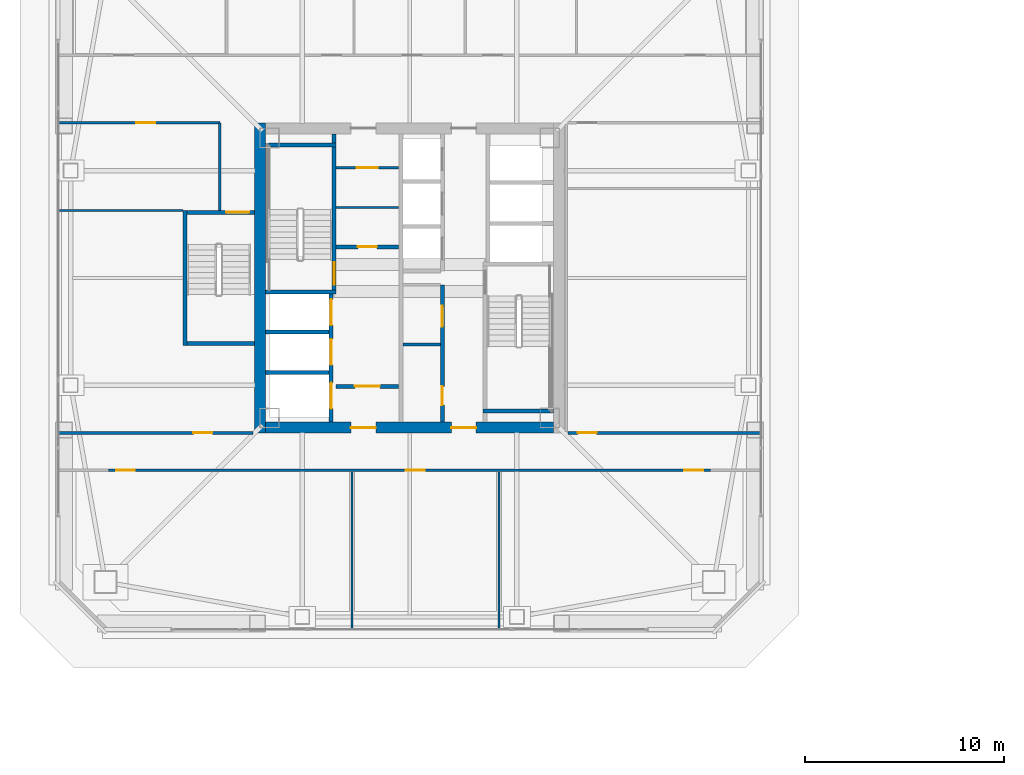
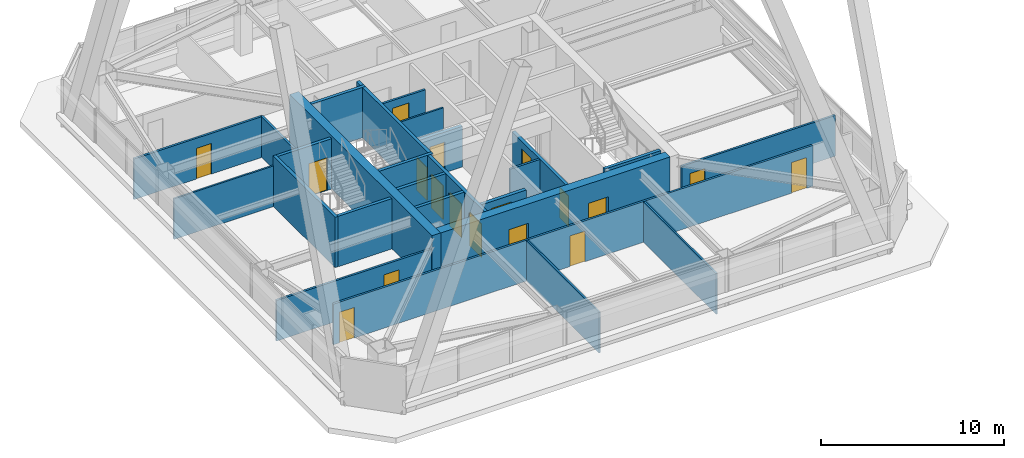
# One storey, part 55 of 65: 26 walls, 18 doors, 18 openings.
"""IFC4 building model written with IfcOpenShell, lengths in metres."""

from ifc_helpers import new_model, si_unit, direction, frame, frame_2d, origin, place, context, subcontext, project, spatial, rectangle, extrude, material, layer, layer_set, type_object, element, fill, save


model = new_model("IFC4")

# Units and contexts
model_context = context("Model", 3, precision=1e-05, world=origin(), true_north=direction((0.0, 1.0)))
body_context = subcontext(model_context, "Body", "Model", "MODEL_VIEW")
ifc_project = project(units=[si_unit("LENGTHUNIT", "METRE"), si_unit("AREAUNIT", "SQUARE_METRE"), si_unit("VOLUMEUNIT", "CUBIC_METRE"), si_unit("PLANEANGLEUNIT", "RADIAN"), si_unit("MASSUNIT", "GRAM", prefix="KILO")], contexts=[model_context])

# Site, building, storey
site_placement = place(None, origin())
site = spatial("IfcSite", under=ifc_project, at=site_placement, CompositionType="ELEMENT")
building_placement = place(site_placement, origin())
building = spatial("IfcBuilding", under=site, at=building_placement, Name="Tashvorn Skyway Center", CompositionType="ELEMENT")
storey_placement = place(building_placement, frame((0.0, 0.0, 157.0)))
storey = spatial("IfcBuildingStorey", under=building, at=storey_placement, Name="L42", CompositionType="ELEMENT", Elevation=157.0)

# Wall
ifc_material_1 = material(Name="Concrete C60/75", Category="concrete")
ifc_layer_1 = layer(ifc_material_1, 0.550048828125)
ifc_layer_set_1 = layer_set([ifc_layer_1], Name="Concrete C60/75")
wall_type_1 = type_object("IfcWallType", Name="WALL-CORE-550", PredefinedType="SHEAR", material=ifc_layer_set_1)
wall_1_placement = place(storey_placement, frame((34.47509765625, 24.199951171875, 0.0), z_axis=(0.0, 0.0, 1.0), x_axis=(0.0, 1.0, 0.0)))
element("IfcWall", 1, at=wall_1_placement, inside=storey, type_object=wall_type_1, Name="Tower 1 L42 West Core Shear Wall", PredefinedType="SHEAR", context=body_context, shape_type="SweptSolid", body=[
    extrude(rectangle(XDim=15.60009765625, YDim=0.550048828125, at=frame_2d((7.800048828125, 0.0))), origin(), (0.0, 0.0, 1.0), 3.550048828125),
])

# Wall, openings, doors
wall_2_placement = place(storey_placement, frame((49.25, 24.47509765625, 0.0), z_axis=(0.0, 0.0, 1.0), x_axis=(-1.0, 0.0, 0.0)))
wall_2 = element("IfcWall", 2, at=wall_2_placement, inside=storey, type_object=wall_type_1, Name="Tower 1 L42 South Core Shear Wall", PredefinedType="SHEAR", context=body_context, shape_type="SweptSolid", body=[
    extrude(rectangle(XDim=14.5, YDim=0.550048828125, at=frame_2d((7.25, 0.0))), origin(), (0.0, 0.0, 1.0), 3.550048828125),
])
opening_1_placement = place(wall_2_placement, frame((8.949951171875, 0.0, 0.0)))
opening_1 = element("IfcOpeningElement", 3, at=opening_1_placement, cuts=wall_2, Name="Opening D-FFL-1250", PredefinedType="OPENING", context=body_context, shape_type="SweptSolid", body=[
    extrude(rectangle(XDim=1.25, YDim=2.25, at=frame_2d((0.625, 1.125))), frame((0.0, 0.284912109375, 0.0), z_axis=(0.0, -1.0, 0.0), x_axis=(1.0, 0.0, 0.0)), (0.0, 0.0, 1.0), 0.570068359375),
])
opening_2_placement = place(wall_2_placement, frame((3.89990234375, 0.0, 0.0)))
opening_2 = element("IfcOpeningElement", 4, at=opening_2_placement, cuts=wall_2, Name="Opening D-FFL-1250", PredefinedType="OPENING", context=body_context, shape_type="SweptSolid", body=[
    extrude(rectangle(XDim=1.25, YDim=2.25, at=frame_2d((0.625, 1.125))), frame((0.0, 0.284912109375, 0.0), z_axis=(0.0, -1.0, 0.0), x_axis=(1.0, 0.0, 0.0)), (0.0, 0.0, 1.0), 0.570068359375),
])
ifc_material_2 = material(Name="Hollow galvanized steel fire door assembly", Category="steel")
door_type_1 = type_object("IfcDoorType", Name="DOOR-FFL-1250", OperationType="NOTDEFINED", PredefinedType="DOOR", material=ifc_material_2)
door_1_placement = place(opening_1_placement, origin())
door_1 = element("IfcDoor", 5, at=door_1_placement, inside=storey, type_object=door_type_1, Name="Tower 1 L42 Core South Firefighting Exit Door", OperationType="SINGLE_SWING_LEFT", OverallHeight=2.25, OverallWidth=1.25, PredefinedType="DOOR", context=body_context, shape_type="SweptSolid", body=[
    extrude(rectangle(XDim=1.25, YDim=2.25, at=frame_2d((0.625, 1.125))), frame((0.0, 0.02490234375, 0.0), z_axis=(0.0, -1.0, 0.0), x_axis=(1.0, 0.0, 0.0)), (0.0, 0.0, 1.0), 0.050048828125),
])
fill(opening_1, door_1)
door_2_placement = place(opening_2_placement, origin())
door_2 = element("IfcDoor", 6, at=door_2_placement, inside=storey, type_object=door_type_1, Name="Tower 1 L42 Core South Lift Lobby Door", OperationType="SINGLE_SWING_RIGHT", OverallHeight=2.25, OverallWidth=1.25, PredefinedType="DOOR", context=body_context, shape_type="SweptSolid", body=[
    extrude(rectangle(XDim=1.25, YDim=2.25, at=frame_2d((0.625, 1.125))), frame((0.0, 0.02490234375, 0.0), z_axis=(0.0, -1.0, 0.0), x_axis=(1.0, 0.0, 0.0)), (0.0, 0.0, 1.0), 0.050048828125),
])
fill(opening_2, door_2)

# Wall, opening, door
ifc_material_3 = material(Name="Concrete C40/50", Category="concrete")
ifc_layer_2 = layer(ifc_material_3, 0.219970703125)
ifc_layer_set_2 = layer_set([ifc_layer_2], Name="Concrete C40/50")
wall_type_2 = type_object("IfcWallType", Name="WALL-FFL-220", PredefinedType="SOLIDWALL", material=ifc_layer_set_2)
wall_3_placement = place(storey_placement, frame((38.300048828125, 33.56005859375, 0.0), z_axis=(0.0, 0.0, 1.0), x_axis=(1.0, 0.0, 0.0)))
wall_3 = element("IfcWall", 7, at=wall_3_placement, inside=storey, type_object=wall_type_2, Name="Tower 1 L42 Firefighting Lobby North Wall", PredefinedType="SOLIDWALL", context=body_context, shape_type="SweptSolid", body=[
    extrude(rectangle(XDim=3.14990234375, YDim=0.219970703125, at=frame_2d((1.574951171875, 0.0))), origin(), (0.0, 0.0, 1.0), 2.722900390625),
])
opening_3_placement = place(wall_3_placement, frame((1.10009765625, 0.0, 0.0)))
opening_3 = element("IfcOpeningElement", 8, at=opening_3_placement, cuts=wall_3, Name="Opening D-RT-950", PredefinedType="OPENING", context=body_context, shape_type="SweptSolid", body=[
    extrude(rectangle(XDim=0.949951171875, YDim=2.050048828125, at=frame_2d((0.47509765625, 1.02490234375))), frame((0.0, 0.119873046875, 0.0), z_axis=(0.0, -1.0, 0.0), x_axis=(1.0, 0.0, 0.0)), (0.0, 0.0, 1.0), 0.239990234375),
])
door_type_2 = type_object("IfcDoorType", Name="DOOR-RATED-950", OperationType="NOTDEFINED", PredefinedType="DOOR", material=ifc_material_2)
door_3_placement = place(opening_3_placement, origin())
door_3 = element("IfcDoor", 9, at=door_3_placement, inside=storey, type_object=door_type_2, Name="Tower 1 L42 Core Linen Store Door", OperationType="SINGLE_SWING_LEFT", OverallHeight=2.050048828125, OverallWidth=0.949951171875, PredefinedType="DOOR", context=body_context, shape_type="SweptSolid", body=[
    extrude(rectangle(XDim=0.949951171875, YDim=2.050048828125, at=frame_2d((0.47509765625, 1.02490234375))), frame((0.0, 0.02490234375, 0.0), z_axis=(0.0, -1.0, 0.0), x_axis=(1.0, 0.0, 0.0)), (0.0, 0.0, 1.0), 0.050048828125),
])
fill(opening_3, door_3)

wall_4_placement = place(storey_placement, frame((38.300048828125, 26.5400390625, 0.0), z_axis=(0.0, 0.0, 1.0), x_axis=(1.0, 0.0, 0.0)))
wall_4 = element("IfcWall", 10, at=wall_4_placement, inside=storey, type_object=wall_type_2, Name="Tower 1 L42 Firefighting Lobby South Wall", PredefinedType="SOLIDWALL", context=body_context, shape_type="SweptSolid", body=[
    extrude(rectangle(XDim=3.14990234375, YDim=0.219970703125, at=frame_2d((1.574951171875, 0.0))), origin(), (0.0, 0.0, 1.0), 2.722900390625),
])
opening_4_placement = place(wall_4_placement, frame((0.949951171875, 0.0, 0.0)))
opening_4 = element("IfcOpeningElement", 11, at=opening_4_placement, cuts=wall_4, Name="Opening D-FFL-1250", PredefinedType="OPENING", context=body_context, shape_type="SweptSolid", body=[
    extrude(rectangle(XDim=1.25, YDim=2.25, at=frame_2d((0.625, 1.125))), frame((0.0, 0.119873046875, 0.0), z_axis=(0.0, -1.0, 0.0), x_axis=(1.0, 0.0, 0.0)), (0.0, 0.0, 1.0), 0.239990234375),
])
door_4_placement = place(opening_4_placement, origin())
door_4 = element("IfcDoor", 12, at=door_4_placement, inside=storey, type_object=door_type_1, Name="Tower 1 L42 Firefighting Lobby Egress Door", OperationType="SINGLE_SWING_LEFT", OverallHeight=2.25, OverallWidth=1.25, PredefinedType="DOOR", context=body_context, shape_type="SweptSolid", body=[
    extrude(rectangle(XDim=1.25, YDim=2.25, at=frame_2d((0.625, 1.125))), frame((0.0, 0.02490234375, 0.0), z_axis=(0.0, -1.0, 0.0), x_axis=(1.0, 0.0, 0.0)), (0.0, 0.0, 1.0), 0.050048828125),
])
fill(opening_4, door_4)

# Walls
ifc_material_4 = material(Name="Gypsum board on cold-formed steel stud framing", Category="steel")
ifc_layer_3 = layer(ifc_material_4, 0.110107421875)
ifc_layer_set_3 = layer_set([ifc_layer_3], Name="Gypsum board on cold-formed steel stud framing")
wall_type_3 = type_object("IfcWallType", Name="WALL-PART-110", PredefinedType="PARTITIONING", material=ifc_layer_set_3)
for number, where, z_axis, x_axis, name in (
    (13, (39.10009765625, 14.320068359375, 0.0), (0.0, 0.0, 1.0), (0.0, 1.0, 0.0), "Tower 1 L42 South Suite Partition 1"),
    (14, (46.5, 14.320068359375, 0.0), (0.0, 0.0, 1.0), (0.0, 1.0, 0.0), "Tower 1 L42 South Suite Partition 2"),
):
    element("IfcWall", number, at=place(storey_placement, frame(where, z_axis=z_axis, x_axis=x_axis)), inside=storey, type_object=wall_type_3, Name=name, PredefinedType="PARTITIONING", context=body_context, shape_type="SweptSolid", body=[
        extrude(rectangle(XDim=7.929931640625, YDim=0.110107421875, at=frame_2d((3.96484375, 0.0))), origin(), (0.0, 0.0, 1.0), 2.722900390625),
    ])
wall_5_placement = place(storey_placement, frame((30.60009765625, 35.39990234375, 0.0), z_axis=(0.0, 0.0, 1.0), x_axis=(-1.0, 0.0, 0.0)))
element("IfcWall", 15, at=wall_5_placement, inside=storey, type_object=wall_type_3, Name="Tower 1 L42 West Suite Partition 1", PredefinedType="PARTITIONING", context=body_context, shape_type="SweptSolid", body=[
    extrude(rectangle(XDim=6.280029296875, YDim=0.110107421875, at=frame_2d((3.14013671875, 0.0))), origin(), (0.0, 0.0, 1.0), 2.722900390625),
])
ifc_layer_4 = layer(ifc_material_4, 0.135009765625)
ifc_layer_set_4 = layer_set([ifc_layer_4], Name="Gypsum board on cold-formed steel stud framing")
wall_type_4 = type_object("IfcWallType", Name="WALL-PART-135", PredefinedType="PARTITIONING", material=ifc_layer_set_4)
wall_6_placement = place(storey_placement, frame((32.449951171875, 35.39990234375, 0.0), z_axis=(0.0, 0.0, 1.0), x_axis=(0.0, 1.0, 0.0)))
element("IfcWall", 16, at=wall_6_placement, inside=storey, type_object=wall_type_4, Name="Tower 1 L42 Stair 3 Access Corridor Wall", PredefinedType="PARTITIONING", context=body_context, shape_type="SweptSolid", body=[
    extrude(rectangle(XDim=4.400146484375, YDim=0.135009765625, at=frame_2d((2.2001953125, 0.0))), origin(), (0.0, 0.0, 1.0), 2.722900390625),
])

# Wall, openings, doors
wall_7_placement = place(storey_placement, frame((57.14990234375, 22.330078125, 0.0), z_axis=(0.0, 0.0, 1.0), x_axis=(-1.0, 0.0, 0.0)))
wall_7 = element("IfcWall", 17, at=wall_7_placement, inside=storey, type_object=wall_type_4, Name="Tower 1 L42 South Suite Wall", PredefinedType="PARTITIONING", context=body_context, shape_type="SweptSolid", body=[
    extrude(rectangle(XDim=30.2998046875, YDim=0.135009765625, at=frame_2d((15.14990234375, 0.0))), origin(), (0.0, 0.0, 1.0), 2.722900390625),
])
opening_5_placement = place(wall_7_placement, frame((28.969970703125, 0.0, 0.0)))
opening_5 = element("IfcOpeningElement", 18, at=opening_5_placement, cuts=wall_7, Name="Opening D-INT-950", PredefinedType="OPENING", context=body_context, shape_type="SweptSolid", body=[
    extrude(rectangle(XDim=0.949951171875, YDim=2.050048828125, at=frame_2d((0.47509765625, 1.02490234375))), frame((0.0, 0.077392578125, 0.0), z_axis=(0.0, -1.0, 0.0), x_axis=(1.0, 0.0, 0.0)), (0.0, 0.0, 1.0), 0.155029296875),
])
opening_6_placement = place(wall_7_placement, frame((14.392333984375, 0.0, 0.0)))
opening_6 = element("IfcOpeningElement", 19, at=opening_6_placement, cuts=wall_7, Name="Opening D-INT-950", PredefinedType="OPENING", context=body_context, shape_type="SweptSolid", body=[
    extrude(rectangle(XDim=0.949951171875, YDim=2.050048828125, at=frame_2d((0.47509765625, 1.02490234375))), frame((0.0, 0.077392578125, 0.0), z_axis=(0.0, -1.0, 0.0), x_axis=(1.0, 0.0, 0.0)), (0.0, 0.0, 1.0), 0.155029296875),
])
opening_7_placement = place(wall_7_placement, frame((0.3798828125, 0.0, 0.0)))
opening_7 = element("IfcOpeningElement", 20, at=opening_7_placement, cuts=wall_7, Name="Opening D-INT-950", PredefinedType="OPENING", context=body_context, shape_type="SweptSolid", body=[
    extrude(rectangle(XDim=0.949951171875, YDim=2.050048828125, at=frame_2d((0.47509765625, 1.02490234375))), frame((0.0, 0.077392578125, 0.0), z_axis=(0.0, -1.0, 0.0), x_axis=(1.0, 0.0, 0.0)), (0.0, 0.0, 1.0), 0.155029296875),
])
ifc_material_5 = material(Name="Solid-core architectural oak veneer door")
door_type_3 = type_object("IfcDoorType", Name="DOOR-INT-950", OperationType="NOTDEFINED", PredefinedType="DOOR", material=ifc_material_5)
door_5_placement = place(opening_5_placement, origin())
door_5 = element("IfcDoor", 21, at=door_5_placement, inside=storey, type_object=door_type_3, Name="Tower 1 L42 Research Library Door", OperationType="SINGLE_SWING_RIGHT", OverallHeight=2.050048828125, OverallWidth=0.949951171875, PredefinedType="DOOR", context=body_context, shape_type="SweptSolid", body=[
    extrude(rectangle(XDim=0.949951171875, YDim=2.050048828125, at=frame_2d((0.47509765625, 1.02490234375))), frame((0.0, 0.02490234375, 0.0), z_axis=(0.0, -1.0, 0.0), x_axis=(1.0, 0.0, 0.0)), (0.0, 0.0, 1.0), 0.050048828125),
])
fill(opening_5, door_5)
door_6_placement = place(opening_6_placement, origin())
door_6 = element("IfcDoor", 22, at=door_6_placement, inside=storey, type_object=door_type_3, Name="Tower 1 L42 Staff Fitness Club Door", OperationType="SINGLE_SWING_LEFT", OverallHeight=2.050048828125, OverallWidth=0.949951171875, PredefinedType="DOOR", context=body_context, shape_type="SweptSolid", body=[
    extrude(rectangle(XDim=0.949951171875, YDim=2.050048828125, at=frame_2d((0.47509765625, 1.02490234375))), frame((0.0, 0.02490234375, 0.0), z_axis=(0.0, -1.0, 0.0), x_axis=(1.0, 0.0, 0.0)), (0.0, 0.0, 1.0), 0.050048828125),
])
fill(opening_6, door_6)
door_7_placement = place(opening_7_placement, origin())
door_7 = element("IfcDoor", 23, at=door_7_placement, inside=storey, type_object=door_type_3, Name="Tower 1 L42 Staff Fitness Club Door", OperationType="SINGLE_SWING_RIGHT", OverallHeight=2.050048828125, OverallWidth=0.949951171875, PredefinedType="DOOR", context=body_context, shape_type="SweptSolid", body=[
    extrude(rectangle(XDim=0.949951171875, YDim=2.050048828125, at=frame_2d((0.47509765625, 1.02490234375))), frame((0.0, 0.02490234375, 0.0), z_axis=(0.0, -1.0, 0.0), x_axis=(1.0, 0.0, 0.0)), (0.0, 0.0, 1.0), 0.050048828125),
])
fill(opening_7, door_7)

# Wall, opening, door
wall_8_placement = place(storey_placement, frame((49.9599609375, 24.199951171875, 0.0), z_axis=(0.0, 0.0, 1.0), x_axis=(1.0, 0.0, 0.0)))
wall_8 = element("IfcWall", 24, at=wall_8_placement, inside=storey, type_object=wall_type_4, Name="Tower 1 L42 East Suite South Wall", PredefinedType="PARTITIONING", context=body_context, shape_type="SweptSolid", body=[
    extrude(rectangle(XDim=9.719970703125, YDim=0.135009765625, at=frame_2d((4.85986328125, 0.0))), origin(), (0.0, 0.0, 1.0), 2.722900390625),
])
opening_8_placement = place(wall_8_placement, frame((0.5, 0.0, 0.0)))
opening_8 = element("IfcOpeningElement", 25, at=opening_8_placement, cuts=wall_8, Name="Opening D-INT-950", PredefinedType="OPENING", context=body_context, shape_type="SweptSolid", body=[
    extrude(rectangle(XDim=0.949951171875, YDim=2.050048828125, at=frame_2d((0.47509765625, 1.02490234375))), frame((0.0, 0.077392578125, 0.0), z_axis=(0.0, -1.0, 0.0), x_axis=(1.0, 0.0, 0.0)), (0.0, 0.0, 1.0), 0.155029296875),
])
door_8_placement = place(opening_8_placement, origin())
door_8 = element("IfcDoor", 26, at=door_8_placement, inside=storey, type_object=door_type_3, Name="Tower 1 L42 Public Restroom Door", OperationType="SINGLE_SWING_RIGHT", OverallHeight=2.050048828125, OverallWidth=0.949951171875, PredefinedType="DOOR", context=body_context, shape_type="SweptSolid", body=[
    extrude(rectangle(XDim=0.949951171875, YDim=2.050048828125, at=frame_2d((0.47509765625, 1.02490234375))), frame((0.0, 0.02490234375, 0.0), z_axis=(0.0, -1.0, 0.0), x_axis=(1.0, 0.0, 0.0)), (0.0, 0.0, 1.0), 0.050048828125),
])
fill(opening_8, door_8)

wall_9_placement = place(storey_placement, frame((32.449951171875, 39.800048828125, 0.0), z_axis=(0.0, 0.0, 1.0), x_axis=(-1.0, 0.0, 0.0)))
wall_9 = element("IfcWall", 27, at=wall_9_placement, inside=storey, type_object=wall_type_4, Name="Tower 1 L42 West Suite North Wall", PredefinedType="PARTITIONING", context=body_context, shape_type="SweptSolid", body=[
    extrude(rectangle(XDim=8.1298828125, YDim=0.135009765625, at=frame_2d((4.06494140625, 0.0))), origin(), (0.0, 0.0, 1.0), 2.722900390625),
])
opening_9_placement = place(wall_9_placement, frame((3.239990234375, 0.0, 0.0)))
opening_9 = element("IfcOpeningElement", 28, at=opening_9_placement, cuts=wall_9, Name="Opening D-INT-950", PredefinedType="OPENING", context=body_context, shape_type="SweptSolid", body=[
    extrude(rectangle(XDim=0.949951171875, YDim=2.050048828125, at=frame_2d((0.47509765625, 1.02490234375))), frame((0.0, 0.077392578125, 0.0), z_axis=(0.0, -1.0, 0.0), x_axis=(1.0, 0.0, 0.0)), (0.0, 0.0, 1.0), 0.155029296875),
])
door_9_placement = place(opening_9_placement, origin())
door_9 = element("IfcDoor", 29, at=door_9_placement, inside=storey, type_object=door_type_3, Name="Tower 1 L42 Design Studio Door", OperationType="SINGLE_SWING_LEFT", OverallHeight=2.050048828125, OverallWidth=0.949951171875, PredefinedType="DOOR", context=body_context, shape_type="SweptSolid", body=[
    extrude(rectangle(XDim=0.949951171875, YDim=2.050048828125, at=frame_2d((0.47509765625, 1.02490234375))), frame((0.0, 0.02490234375, 0.0), z_axis=(0.0, -1.0, 0.0), x_axis=(1.0, 0.0, 0.0)), (0.0, 0.0, 1.0), 0.050048828125),
])
fill(opening_9, door_9)

wall_10_placement = place(storey_placement, frame((24.320068359375, 24.199951171875, 0.0), z_axis=(0.0, 0.0, 1.0), x_axis=(1.0, 0.0, 0.0)))
wall_10 = element("IfcWall", 30, at=wall_10_placement, inside=storey, type_object=wall_type_4, Name="Tower 1 L42 West Suite South Wall", PredefinedType="PARTITIONING", context=body_context, shape_type="SweptSolid", body=[
    extrude(rectangle(XDim=9.800048828125, YDim=0.135009765625, at=frame_2d((4.89990234375, 0.0))), origin(), (0.0, 0.0, 1.0), 2.722900390625),
])
opening_10_placement = place(wall_10_placement, frame((6.804931640625, 0.0, 0.0)))
opening_10 = element("IfcOpeningElement", 31, at=opening_10_placement, cuts=wall_10, Name="Opening D-INT-950", PredefinedType="OPENING", context=body_context, shape_type="SweptSolid", body=[
    extrude(rectangle(XDim=0.949951171875, YDim=2.050048828125, at=frame_2d((0.47509765625, 1.02490234375))), frame((0.0, 0.077392578125, 0.0), z_axis=(0.0, -1.0, 0.0), x_axis=(1.0, 0.0, 0.0)), (0.0, 0.0, 1.0), 0.155029296875),
])
door_10_placement = place(opening_10_placement, origin())
door_10 = element("IfcDoor", 32, at=door_10_placement, inside=storey, type_object=door_type_3, Name="Tower 1 L42 Public Restroom Door", OperationType="SINGLE_SWING_RIGHT", OverallHeight=2.050048828125, OverallWidth=0.949951171875, PredefinedType="DOOR", context=body_context, shape_type="SweptSolid", body=[
    extrude(rectangle(XDim=0.949951171875, YDim=2.050048828125, at=frame_2d((0.47509765625, 1.02490234375))), frame((0.0, 0.02490234375, 0.0), z_axis=(0.0, -1.0, 0.0), x_axis=(1.0, 0.0, 0.0)), (0.0, 0.0, 1.0), 0.050048828125),
])
fill(opening_10, door_10)

# Wall
ifc_layer_5 = layer(ifc_material_4, 0.110107421875)
ifc_layer_set_5 = layer_set([ifc_layer_5], Name="Gypsum board on cold-formed steel stud framing")
wall_type_5 = type_object("IfcWallType", Name="WALL-RATED-110", PredefinedType="PARTITIONING", material=ifc_layer_set_5)
wall_11_placement = place(storey_placement, frame((38.300048828125, 35.550048828125, 0.0), z_axis=(0.0, 0.0, 1.0), x_axis=(1.0, 0.0, 0.0)))
element("IfcWall", 33, at=wall_11_placement, inside=storey, type_object=wall_type_5, Name="Tower 1 L42 Core Transverse Wall", PredefinedType="PARTITIONING", context=body_context, shape_type="SweptSolid", body=[
    extrude(rectangle(XDim=3.14990234375, YDim=0.110107421875, at=frame_2d((1.574951171875, 0.0))), origin(), (0.0, 0.0, 1.0), 2.722900390625),
])

# Wall, opening, door
ifc_layer_6 = layer(ifc_material_4, 0.135009765625)
ifc_layer_set_6 = layer_set([ifc_layer_6], Name="Gypsum board on cold-formed steel stud framing")
wall_type_6 = type_object("IfcWallType", Name="WALL-RATED-135", PredefinedType="PARTITIONING", material=ifc_layer_set_6)
wall_12_placement = place(storey_placement, frame((38.300048828125, 37.550048828125, 0.0), z_axis=(0.0, 0.0, 1.0), x_axis=(1.0, 0.0, 0.0)))
wall_12 = element("IfcWall", 34, at=wall_12_placement, inside=storey, type_object=wall_type_6, Name="Tower 1 L42 Core Service Lobby Wall", PredefinedType="PARTITIONING", context=body_context, shape_type="SweptSolid", body=[
    extrude(rectangle(XDim=3.14990234375, YDim=0.135009765625, at=frame_2d((1.574951171875, 0.0))), origin(), (0.0, 0.0, 1.0), 2.722900390625),
])
opening_11_placement = place(wall_12_placement, frame((1.050048828125, 0.0, 0.0)))
opening_11 = element("IfcOpeningElement", 35, at=opening_11_placement, cuts=wall_12, Name="Opening D-RT-1050", PredefinedType="OPENING", context=body_context, shape_type="SweptSolid", body=[
    extrude(rectangle(XDim=1.050048828125, YDim=2.199951171875, at=frame_2d((0.52490234375, 1.10009765625))), frame((0.0, 0.077392578125, 0.0), z_axis=(0.0, -1.0, 0.0), x_axis=(1.0, 0.0, 0.0)), (0.0, 0.0, 1.0), 0.155029296875),
])
door_type_4 = type_object("IfcDoorType", Name="DOOR-RATED-1050", OperationType="NOTDEFINED", PredefinedType="DOOR", material=ifc_material_2)
door_11_placement = place(opening_11_placement, origin())
door_11 = element("IfcDoor", 36, at=door_11_placement, inside=storey, type_object=door_type_4, Name="Tower 1 L42 Core Accessible WC Door", OperationType="SINGLE_SWING_RIGHT", OverallHeight=2.199951171875, OverallWidth=1.050048828125, PredefinedType="DOOR", context=body_context, shape_type="SweptSolid", body=[
    extrude(rectangle(XDim=1.050048828125, YDim=2.199951171875, at=frame_2d((0.52490234375, 1.10009765625))), frame((0.0, 0.02490234375, 0.0), z_axis=(0.0, -1.0, 0.0), x_axis=(1.0, 0.0, 0.0)), (0.0, 0.0, 1.0), 0.050048828125),
])
fill(opening_11, door_11)

# Walls
wall_13_placement = place(storey_placement, frame((41.669921875, 28.64990234375, 0.0), z_axis=(0.0, 0.0, 1.0), x_axis=(1.0, 0.0, 0.0)))
element("IfcWall", 37, at=wall_13_placement, inside=storey, type_object=wall_type_6, Name="Tower 1 L42 Freed Core Partition", PredefinedType="PARTITIONING", context=body_context, shape_type="SweptSolid", body=[
    extrude(rectangle(XDim=1.880126953125, YDim=0.135009765625, at=frame_2d((0.93994140625, 0.0))), origin(), (0.0, 0.0, 1.0), 2.722900390625),
])
ifc_layer_7 = layer(ifc_material_3, 0.199951171875)
ifc_layer_set_7 = layer_set([ifc_layer_7], Name="Concrete C40/50")
wall_type_7 = type_object("IfcWallType", Name="WALL-SHAFT-200", PredefinedType="SOLIDWALL", material=ifc_layer_set_7)
for number, where, z_axis, x_axis, name in (
    (38, (34.75, 27.25, 0.0), (0.0, 0.0, 1.0), (1.0, 0.0, 0.0), "Tower 1 L42 FSAE Shaft Divider"),
    (39, (34.75, 29.280029296875, 0.0), (0.0, 0.0, 1.0), (1.0, 0.0, 0.0), "Tower 1 L42 FSAE Shaft Divider"),
):
    element("IfcWall", number, at=place(storey_placement, frame(where, z_axis=z_axis, x_axis=x_axis)), inside=storey, type_object=wall_type_7, Name=name, PredefinedType="SOLIDWALL", context=body_context, shape_type="SweptSolid", body=[
        extrude(rectangle(XDim=3.199951171875, YDim=0.199951171875, at=frame_2d((1.60009765625, 0.0))), origin(), (0.0, 0.0, 1.0), 3.3701171875),
    ])

# Wall, openings, doors
wall_14_placement = place(storey_placement, frame((43.64990234375, 24.75, 0.0), z_axis=(0.0, 0.0, 1.0), x_axis=(0.0, 1.0, 0.0)))
wall_14 = element("IfcWall", 40, at=wall_14_placement, inside=storey, type_object=wall_type_7, Name="Tower 1 L42 Low-Rise Core Wall", PredefinedType="SOLIDWALL", context=body_context, shape_type="SweptSolid", body=[
    extrude(rectangle(XDim=6.89990234375, YDim=0.199951171875, at=frame_2d((3.449951171875, 0.0))), origin(), (0.0, 0.0, 1.0), 2.722900390625),
])
opening_12_placement = place(wall_14_placement, frame((0.85009765625, 0.0, 0.0)))
opening_12 = element("IfcOpeningElement", 41, at=opening_12_placement, cuts=wall_14, Name="Opening D-RT-950", PredefinedType="OPENING", context=body_context, shape_type="SweptSolid", body=[
    extrude(rectangle(XDim=0.949951171875, YDim=2.050048828125, at=frame_2d((0.47509765625, 1.02490234375))), frame((0.0, 0.10986328125, 0.0), z_axis=(0.0, -1.0, 0.0), x_axis=(1.0, 0.0, 0.0)), (0.0, 0.0, 1.0), 0.219970703125),
])
opening_13_placement = place(wall_14_placement, frame((4.800048828125, 0.0, 0.0)))
opening_13 = element("IfcOpeningElement", 42, at=opening_13_placement, cuts=wall_14, Name="Opening D-RT-1050", PredefinedType="OPENING", context=body_context, shape_type="SweptSolid", body=[
    extrude(rectangle(XDim=1.050048828125, YDim=2.199951171875, at=frame_2d((0.52490234375, 1.10009765625))), frame((0.0, 0.10986328125, 0.0), z_axis=(0.0, -1.0, 0.0), x_axis=(1.0, 0.0, 0.0)), (0.0, 0.0, 1.0), 0.219970703125),
])
door_12_placement = place(opening_13_placement, origin())
door_12 = element("IfcDoor", 43, at=door_12_placement, inside=storey, type_object=door_type_4, Name="Tower 1 L42 Freed Core Room Door", OperationType="SINGLE_SWING_RIGHT", OverallHeight=2.199951171875, OverallWidth=1.050048828125, PredefinedType="DOOR", context=body_context, shape_type="SweptSolid", body=[
    extrude(rectangle(XDim=1.050048828125, YDim=2.199951171875, at=frame_2d((0.52490234375, 1.10009765625))), frame((0.0, 0.02490234375, 0.0), z_axis=(0.0, -1.0, 0.0), x_axis=(1.0, 0.0, 0.0)), (0.0, 0.0, 1.0), 0.050048828125),
])
fill(opening_13, door_12)
door_13_placement = place(opening_12_placement, origin())
door_13 = element("IfcDoor", 44, at=door_13_placement, inside=storey, type_object=door_type_2, Name="Tower 1 L42 Core Print Room Door", OperationType="SINGLE_SWING_LEFT", OverallHeight=2.050048828125, OverallWidth=0.949951171875, PredefinedType="DOOR", context=body_context, shape_type="SweptSolid", body=[
    extrude(rectangle(XDim=0.949951171875, YDim=2.050048828125, at=frame_2d((0.47509765625, 1.02490234375))), frame((0.0, 0.02490234375, 0.0), z_axis=(0.0, -1.0, 0.0), x_axis=(1.0, 0.0, 0.0)), (0.0, 0.0, 1.0), 0.050048828125),
])
fill(opening_12, door_13)

# Wall, opening, door
ifc_layer_8 = layer(ifc_material_3, 0.199951171875)
ifc_layer_set_8 = layer_set([ifc_layer_8], Name="Concrete C40/50")
wall_type_8 = type_object("IfcWallType", Name="WALL-STSHF-200", PredefinedType="SHEAR", material=ifc_layer_set_8)
wall_15_placement = place(storey_placement, frame((38.199951171875, 31.199951171875, 0.0), z_axis=(0.0, 0.0, 1.0), x_axis=(0.0, 1.0, 0.0)))
wall_15 = element("IfcWall", 45, at=wall_15_placement, inside=storey, type_object=wall_type_8, Name="Tower 1 L42 Stair 1 Enclosure Wall", PredefinedType="SHEAR", context=body_context, shape_type="SweptSolid", body=[
    extrude(rectangle(XDim=8.050048828125, YDim=0.199951171875, at=frame_2d((4.02490234375, 0.0))), origin(), (0.0, 0.0, 1.0), 3.3701171875),
])
opening_14_placement = place(wall_15_placement, frame((0.449951171875, 0.0, 0.0)))
opening_14 = element("IfcOpeningElement", 46, at=opening_14_placement, cuts=wall_15, Name="Opening D-ST-1150", PredefinedType="OPENING", context=body_context, shape_type="SweptSolid", body=[
    extrude(rectangle(XDim=1.14990234375, YDim=2.199951171875, at=frame_2d((0.574951171875, 1.10009765625))), frame((0.0, 0.10986328125, 0.0), z_axis=(0.0, -1.0, 0.0), x_axis=(1.0, 0.0, 0.0)), (0.0, 0.0, 1.0), 0.219970703125),
])
door_type_5 = type_object("IfcDoorType", Name="DOOR-STAIR-1150", OperationType="NOTDEFINED", PredefinedType="DOOR", material=ifc_material_2)
door_14_placement = place(opening_14_placement, origin())
door_14 = element("IfcDoor", 47, at=door_14_placement, inside=storey, type_object=door_type_5, Name="Tower 1 L42 Exit Stair 1 Door", OperationType="SINGLE_SWING_RIGHT", OverallHeight=2.199951171875, OverallWidth=1.14990234375, PredefinedType="DOOR", context=body_context, shape_type="SweptSolid", body=[
    extrude(rectangle(XDim=1.14990234375, YDim=2.199951171875, at=frame_2d((0.574951171875, 1.10009765625))), frame((0.0, 0.02490234375, 0.0), z_axis=(0.0, -1.0, 0.0), x_axis=(1.0, 0.0, 0.0)), (0.0, 0.0, 1.0), 0.050048828125),
])
fill(opening_14, door_14)

# Walls
for number, where, z_axis, x_axis, name in (
    (48, (34.75, 31.300048828125, 0.0), (0.0, 0.0, 1.0), (1.0, 0.0, 0.0), "Tower 1 L42 Stair 1 South Wall"),
    (49, (34.75, 38.699951171875, 0.0), (0.0, 0.0, 1.0), (1.0, 0.0, 0.0), "Tower 1 L42 Stair 1 North Wall"),
    (50, (45.699951171875, 25.300048828125, 0.0), (0.0, 0.0, 1.0), (1.0, 0.0, 0.0), "Tower 1 L42 Stair 2 South Wall"),
):
    element("IfcWall", number, at=place(storey_placement, frame(where, z_axis=z_axis, x_axis=x_axis)), inside=storey, type_object=wall_type_8, Name=name, PredefinedType="SHEAR", context=body_context, shape_type="SweptSolid", body=[
        extrude(rectangle(XDim=3.550048828125, YDim=0.199951171875, at=frame_2d((1.77490234375, 0.0))), origin(), (0.0, 0.0, 1.0), 3.3701171875),
    ])

# Wall, openings, doors
wall_16_placement = place(storey_placement, frame((38.050048828125, 24.75, 0.0), z_axis=(0.0, 0.0, 1.0), x_axis=(0.0, 1.0, 0.0)))
wall_16 = element("IfcWall", 51, at=wall_16_placement, inside=storey, type_object=wall_type_8, Name="Tower 1 L42 FSAE and Goods Shaft Front Wall", PredefinedType="SHEAR", context=body_context, shape_type="SweptSolid", body=[
    extrude(rectangle(XDim=6.449951171875, YDim=0.199951171875, at=frame_2d((3.22509765625, 0.0))), origin(), (0.0, 0.0, 1.0), 3.3701171875),
])
opening_15_placement = place(wall_16_placement, frame((4.875, 0.0, 0.0)))
opening_15 = element("IfcOpeningElement", 52, at=opening_15_placement, cuts=wall_16, Name="Opening LD-FF-T1-1-L42", PredefinedType="OPENING", context=body_context, shape_type="SweptSolid", body=[
    extrude(rectangle(XDim=1.300048828125, YDim=2.25, at=frame_2d((0.64990234375, 1.125))), frame((0.0, 0.10986328125, 0.0), z_axis=(0.0, -1.0, 0.0), x_axis=(1.0, 0.0, 0.0)), (0.0, 0.0, 1.0), 0.219970703125),
])
opening_16_placement = place(wall_16_placement, frame((2.875, 0.0, 0.0)))
opening_16 = element("IfcOpeningElement", 53, at=opening_16_placement, cuts=wall_16, Name="Opening LD-FF-T1-2-L42", PredefinedType="OPENING", context=body_context, shape_type="SweptSolid", body=[
    extrude(rectangle(XDim=1.300048828125, YDim=2.25, at=frame_2d((0.64990234375, 1.125))), frame((0.0, 0.10986328125, 0.0), z_axis=(0.0, -1.0, 0.0), x_axis=(1.0, 0.0, 0.0)), (0.0, 0.0, 1.0), 0.219970703125),
])
opening_17_placement = place(wall_16_placement, frame((0.675048828125, 0.0, 0.0)))
opening_17 = element("IfcOpeningElement", 54, at=opening_17_placement, cuts=wall_16, Name="Opening LD-GD-T1-1-L42", PredefinedType="OPENING", context=body_context, shape_type="SweptSolid", body=[
    extrude(rectangle(XDim=1.300048828125, YDim=2.25, at=frame_2d((0.64990234375, 1.125))), frame((0.0, 0.10986328125, 0.0), z_axis=(0.0, -1.0, 0.0), x_axis=(1.0, 0.0, 0.0)), (0.0, 0.0, 1.0), 0.219970703125),
])
ifc_material_6 = material(Name="Stainless steel heavy-duty landing door", Category="steel")
door_type_6 = type_object("IfcDoorType", Name="DOOR-LIFT-1300", OperationType="SLIDING_TO_LEFT", PredefinedType="DOOR", material=ifc_material_6)
door_15_placement = place(opening_15_placement, origin())
door_15 = element("IfcDoor", 55, at=door_15_placement, inside=storey, type_object=door_type_6, Name="Lift FF-T1-1 L42 Landing Door", OperationType="SLIDING_TO_LEFT", OverallHeight=2.25, OverallWidth=1.300048828125, PredefinedType="DOOR", context=body_context, shape_type="SweptSolid", body=[
    extrude(rectangle(XDim=1.300048828125, YDim=2.25, at=frame_2d((0.64990234375, 1.125))), frame((0.0, 0.02490234375, 0.0), z_axis=(0.0, -1.0, 0.0), x_axis=(1.0, 0.0, 0.0)), (0.0, 0.0, 1.0), 0.050048828125),
])
fill(opening_15, door_15)
door_16_placement = place(opening_16_placement, origin())
door_16 = element("IfcDoor", 56, at=door_16_placement, inside=storey, type_object=door_type_6, Name="Lift FF-T1-2 L42 Landing Door", OperationType="SLIDING_TO_LEFT", OverallHeight=2.25, OverallWidth=1.300048828125, PredefinedType="DOOR", context=body_context, shape_type="SweptSolid", body=[
    extrude(rectangle(XDim=1.300048828125, YDim=2.25, at=frame_2d((0.64990234375, 1.125))), frame((0.0, 0.02490234375, 0.0), z_axis=(0.0, -1.0, 0.0), x_axis=(1.0, 0.0, 0.0)), (0.0, 0.0, 1.0), 0.050048828125),
])
fill(opening_16, door_16)
door_17_placement = place(opening_17_placement, origin())
door_17 = element("IfcDoor", 57, at=door_17_placement, inside=storey, type_object=door_type_6, Name="Lift GD-T1-1 L42 Landing Door", OperationType="SLIDING_TO_LEFT", OverallHeight=2.25, OverallWidth=1.300048828125, PredefinedType="DOOR", context=body_context, shape_type="SweptSolid", body=[
    extrude(rectangle(XDim=1.300048828125, YDim=2.25, at=frame_2d((0.64990234375, 1.125))), frame((0.0, 0.02490234375, 0.0), z_axis=(0.0, -1.0, 0.0), x_axis=(1.0, 0.0, 0.0)), (0.0, 0.0, 1.0), 0.050048828125),
])
fill(opening_17, door_17)

# Wall
wall_17_placement = place(storey_placement, frame((30.699951171875, 28.60009765625, 0.0), z_axis=(0.0, 0.0, 1.0), x_axis=(0.0, 1.0, 0.0)))
element("IfcWall", 58, at=wall_17_placement, inside=storey, type_object=wall_type_8, Name="Tower 1 L42 Stair 3 Outer Wall", PredefinedType="SHEAR", context=body_context, shape_type="SweptSolid", body=[
    extrude(rectangle(XDim=6.7998046875, YDim=0.199951171875, at=frame_2d((3.39990234375, 0.0))), origin(), (0.0, 0.0, 1.0), 3.3701171875),
])

# Wall, opening, door
wall_18_placement = place(storey_placement, frame((34.199951171875, 35.300048828125, 0.0), z_axis=(0.0, 0.0, 1.0), x_axis=(-1.0, 0.0, 0.0)))
wall_18 = element("IfcWall", 59, at=wall_18_placement, inside=storey, type_object=wall_type_8, Name="Tower 1 L42 Stair 3 Enclosure Wall", PredefinedType="SHEAR", context=body_context, shape_type="SweptSolid", body=[
    extrude(rectangle(XDim=3.39990234375, YDim=0.199951171875, at=frame_2d((1.699951171875, 0.0))), origin(), (0.0, 0.0, 1.0), 3.3701171875),
])
opening_18_placement = place(wall_18_placement, frame((0.27490234375, 0.0, 0.0)))
opening_18 = element("IfcOpeningElement", 60, at=opening_18_placement, cuts=wall_18, Name="Opening D-ST-1150", PredefinedType="OPENING", context=body_context, shape_type="SweptSolid", body=[
    extrude(rectangle(XDim=1.14990234375, YDim=2.199951171875, at=frame_2d((0.574951171875, 1.10009765625))), frame((0.0, 0.10986328125, 0.0), z_axis=(0.0, -1.0, 0.0), x_axis=(1.0, 0.0, 0.0)), (0.0, 0.0, 1.0), 0.219970703125),
])
door_18_placement = place(opening_18_placement, origin())
door_18 = element("IfcDoor", 61, at=door_18_placement, inside=storey, type_object=door_type_5, Name="Tower 1 L42 Exit Stair 3 Door", OperationType="SINGLE_SWING_RIGHT", OverallHeight=2.199951171875, OverallWidth=1.14990234375, PredefinedType="DOOR", context=body_context, shape_type="SweptSolid", body=[
    extrude(rectangle(XDim=1.14990234375, YDim=2.199951171875, at=frame_2d((0.574951171875, 1.10009765625))), frame((0.0, 0.02490234375, 0.0), z_axis=(0.0, -1.0, 0.0), x_axis=(1.0, 0.0, 0.0)), (0.0, 0.0, 1.0), 0.050048828125),
])
fill(opening_18, door_18)

# Wall
wall_19_placement = place(storey_placement, frame((30.800048828125, 28.699951171875, 0.0), z_axis=(0.0, 0.0, 1.0), x_axis=(1.0, 0.0, 0.0)))
element("IfcWall", 62, at=wall_19_placement, inside=storey, type_object=wall_type_8, Name="Tower 1 L42 Stair 3 South Wall", PredefinedType="SHEAR", context=body_context, shape_type="SweptSolid", body=[
    extrude(rectangle(XDim=3.39990234375, YDim=0.199951171875, at=frame_2d((1.699951171875, 0.0))), origin(), (0.0, 0.0, 1.0), 3.3701171875),
])

save(model, "model.ifc")
